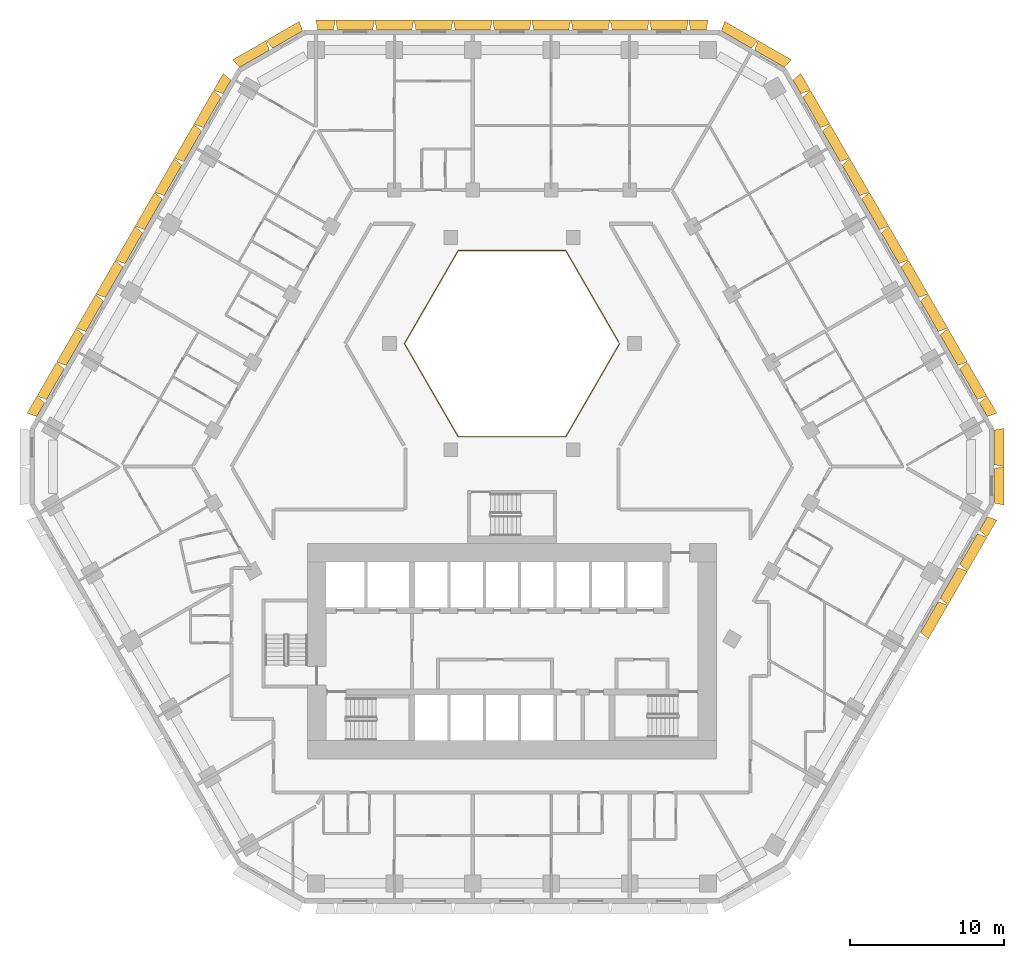
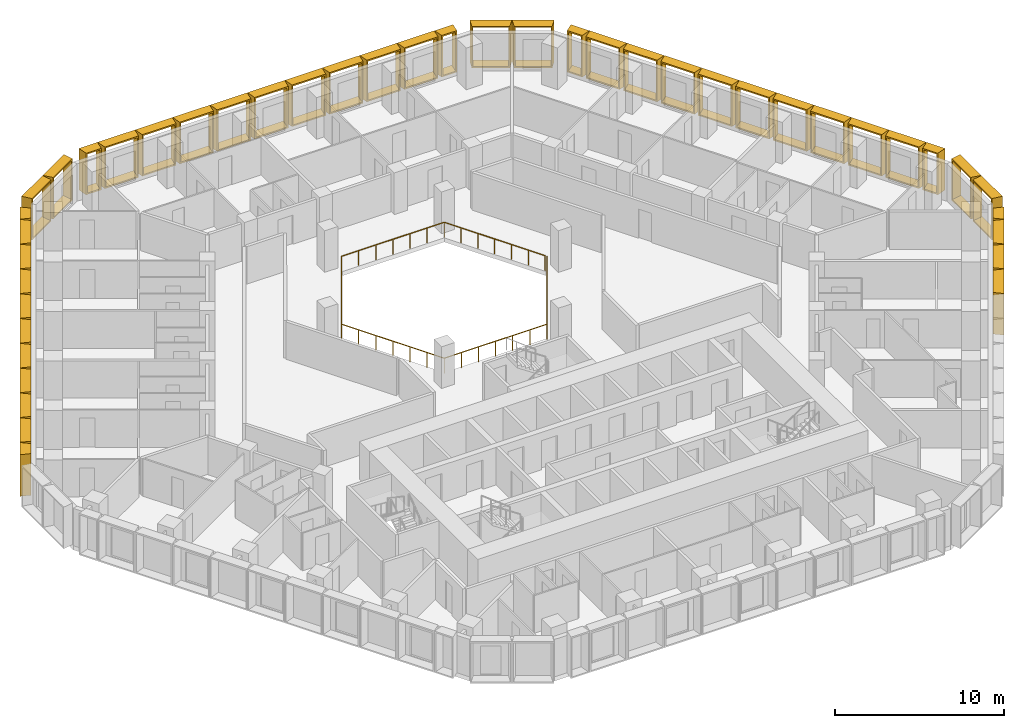
# One storey, part 16 of 16: 43 shading devices, 1 railing.
"""IFC4 building model written with IfcOpenShell, lengths in metres."""

from ifc_helpers import new_model, entity, si_unit, direction, frame, origin, origin_2d, place, context, subcontext, project, spatial, rectangle, extrude, source, transform, mapped, material, type_object, type_shapes, element, save


model = new_model("IFC4")

# Units and contexts
model_context = context("Model", 3, precision=1e-05, world=origin(), true_north=direction((0.0, 1.0)))
body_context = subcontext(model_context, "Body", "Model", "MODEL_VIEW")
ifc_project = project(units=[si_unit("LENGTHUNIT", "METRE"), si_unit("AREAUNIT", "SQUARE_METRE"), si_unit("VOLUMEUNIT", "CUBIC_METRE"), si_unit("PLANEANGLEUNIT", "RADIAN"), si_unit("MASSUNIT", "GRAM", prefix="KILO")], contexts=[model_context])

# Site, building, storey
site_placement = place(None, origin())
site = spatial("IfcSite", under=ifc_project, at=site_placement, CompositionType="ELEMENT")
building_placement = place(site_placement, origin())
building = spatial("IfcBuilding", under=site, at=building_placement, Name="Beryl Residences", CompositionType="ELEMENT")
storey_placement = place(building_placement, frame((0.0, 0.0, 50.39990234375)))
storey = spatial("IfcBuildingStorey", under=building, at=storey_placement, Name="L15", CompositionType="ELEMENT", Elevation=50.39990234375)

# Railing
ifc_material_1 = material(Name="Stainless steel balustrade with glass infill", Category="steel")
railing_type = type_object("IfcRailingType", Name="EG1 edge guard 1100 mm", PredefinedType="GUARDRAIL", material=ifc_material_1)
railing_placement = place(storey_placement, frame((6.9970703125, 8.0, 0.0)))
element("IfcRailing", 1, at=railing_placement, inside=storey, type_object=railing_type, Name="L15 atrium guard", PredefinedType="GUARDRAIL", context=body_context, shape_type="SweptSolid", body=[
    extrude(rectangle(XDim=0.048095703125, YDim=0.048095703125, at=origin_2d()), frame((0.0, 0.0, 1.076171875), z_axis=(-0.499921796684, -0.866070549782, 0.0), x_axis=(0.866070549782, -0.499921796684, 0.0)), (0.0, 0.0, 1.0), 6.9970703125),
    extrude(rectangle(XDim=0.048095703125, YDim=0.048095703125, at=origin_2d()), frame((-3.498046875, -6.06005859375, 1.076171875), z_axis=(-1.0, 0.0, 0.0), x_axis=(0.0, -1.0, 0.0)), (0.0, 0.0, 1.0), 6.998046875),
    extrude(rectangle(XDim=0.048095703125, YDim=0.048095703125, at=origin_2d()), frame((-10.49609375, -6.06005859375, 1.076171875), z_axis=(-0.499921796684, 0.866070549782, 0.0), x_axis=(-0.866070549782, -0.499921796684, 0.0)), (0.0, 0.0, 1.0), 6.9970703125),
    extrude(rectangle(XDim=0.048095703125, YDim=0.048095703125, at=origin_2d()), frame((-13.994140625, 0.0, 1.076171875), z_axis=(0.499921796684, 0.866070549782, 0.0), x_axis=(-0.866070549782, 0.499921796684, 0.0)), (0.0, 0.0, 1.0), 6.9970703125),
    extrude(rectangle(XDim=0.048095703125, YDim=0.048095703125, at=origin_2d()), frame((-10.49609375, 6.06005859375, 1.076171875), z_axis=(1.0, 0.0, 0.0), x_axis=(0.0, 1.0, 0.0)), (0.0, 0.0, 1.0), 6.998046875),
    extrude(rectangle(XDim=0.048095703125, YDim=0.048095703125, at=origin_2d()), frame((-3.498046875, 6.06005859375, 1.076171875), z_axis=(0.499919131929, -0.866072087953, 0.0), x_axis=(0.866072087953, 0.499919131929, 0.0)), (0.0, 0.0, 1.0), 6.877197265625),
    extrude(rectangle(XDim=0.0419921875, YDim=0.0419921875, at=origin_2d()), origin(), (0.0, 0.0, 1.0), 1.052001953125),
    extrude(rectangle(XDim=0.0419921875, YDim=0.0419921875, at=origin_2d()), frame((-0.5830078125, -1.010009765625, 0.0)), (0.0, 0.0, 1.0), 1.052001953125),
    extrude(rectangle(XDim=0.0419921875, YDim=0.0419921875, at=origin_2d()), frame((-1.166015625, -2.02001953125, 0.0)), (0.0, 0.0, 1.0), 1.052001953125),
    extrude(rectangle(XDim=0.0419921875, YDim=0.0419921875, at=origin_2d()), frame((-1.7490234375, -3.030029296875, 0.0)), (0.0, 0.0, 1.0), 1.052001953125),
    extrude(rectangle(XDim=0.0419921875, YDim=0.0419921875, at=origin_2d()), frame((-2.33203125, -4.0400390625, 0.0)), (0.0, 0.0, 1.0), 1.052001953125),
    extrude(rectangle(XDim=0.0419921875, YDim=0.0419921875, at=origin_2d()), frame((-2.9150390625, -5.050048828125, 0.0)), (0.0, 0.0, 1.0), 1.052001953125),
    extrude(rectangle(XDim=0.0419921875, YDim=0.0419921875, at=origin_2d()), frame((-3.498046875, -6.06005859375, 0.0)), (0.0, 0.0, 1.0), 1.052001953125),
    extrude(rectangle(XDim=0.0419921875, YDim=0.0419921875, at=origin_2d()), frame((-4.664306640625, -6.06005859375, 0.0)), (0.0, 0.0, 1.0), 1.052001953125),
    extrude(rectangle(XDim=0.0419921875, YDim=0.0419921875, at=origin_2d()), frame((-5.830810546875, -6.06005859375, 0.0)), (0.0, 0.0, 1.0), 1.052001953125),
    extrude(rectangle(XDim=0.0419921875, YDim=0.0419921875, at=origin_2d()), frame((-6.9970703125, -6.06005859375, 0.0)), (0.0, 0.0, 1.0), 1.052001953125),
    extrude(rectangle(XDim=0.0419921875, YDim=0.0419921875, at=origin_2d()), frame((-8.163330078125, -6.06005859375, 0.0)), (0.0, 0.0, 1.0), 1.052001953125),
    extrude(rectangle(XDim=0.0419921875, YDim=0.0419921875, at=origin_2d()), frame((-9.329833984375, -6.06005859375, 0.0)), (0.0, 0.0, 1.0), 1.052001953125),
    extrude(rectangle(XDim=0.0419921875, YDim=0.0419921875, at=origin_2d()), frame((-10.49609375, -6.06005859375, 0.0)), (0.0, 0.0, 1.0), 1.052001953125),
    extrude(rectangle(XDim=0.0419921875, YDim=0.0419921875, at=origin_2d()), frame((-11.0791015625, -5.050048828125, 0.0)), (0.0, 0.0, 1.0), 1.052001953125),
    extrude(rectangle(XDim=0.0419921875, YDim=0.0419921875, at=origin_2d()), frame((-11.662109375, -4.0400390625, 0.0)), (0.0, 0.0, 1.0), 1.052001953125),
    extrude(rectangle(XDim=0.0419921875, YDim=0.0419921875, at=origin_2d()), frame((-12.2451171875, -3.030029296875, 0.0)), (0.0, 0.0, 1.0), 1.052001953125),
    extrude(rectangle(XDim=0.0419921875, YDim=0.0419921875, at=origin_2d()), frame((-12.828125, -2.02001953125, 0.0)), (0.0, 0.0, 1.0), 1.052001953125),
    extrude(rectangle(XDim=0.0419921875, YDim=0.0419921875, at=origin_2d()), frame((-13.4111328125, -1.010009765625, 0.0)), (0.0, 0.0, 1.0), 1.052001953125),
    extrude(rectangle(XDim=0.0419921875, YDim=0.0419921875, at=origin_2d()), frame((-13.994140625, 0.0, 0.0)), (0.0, 0.0, 1.0), 1.052001953125),
    extrude(rectangle(XDim=0.0419921875, YDim=0.0419921875, at=origin_2d()), frame((-13.4111328125, 1.010009765625, 0.0)), (0.0, 0.0, 1.0), 1.052001953125),
    extrude(rectangle(XDim=0.0419921875, YDim=0.0419921875, at=origin_2d()), frame((-12.828125, 2.02001953125, 0.0)), (0.0, 0.0, 1.0), 1.052001953125),
    extrude(rectangle(XDim=0.0419921875, YDim=0.0419921875, at=origin_2d()), frame((-12.2451171875, 3.030029296875, 0.0)), (0.0, 0.0, 1.0), 1.052001953125),
    extrude(rectangle(XDim=0.0419921875, YDim=0.0419921875, at=origin_2d()), frame((-11.662109375, 4.0400390625, 0.0)), (0.0, 0.0, 1.0), 1.052001953125),
    extrude(rectangle(XDim=0.0419921875, YDim=0.0419921875, at=origin_2d()), frame((-11.0791015625, 5.050048828125, 0.0)), (0.0, 0.0, 1.0), 1.052001953125),
    extrude(rectangle(XDim=0.0419921875, YDim=0.0419921875, at=origin_2d()), frame((-10.49609375, 6.06005859375, 0.0)), (0.0, 0.0, 1.0), 1.052001953125),
    extrude(rectangle(XDim=0.0419921875, YDim=0.0419921875, at=origin_2d()), frame((-9.329833984375, 6.06005859375, 0.0)), (0.0, 0.0, 1.0), 1.052001953125),
    extrude(rectangle(XDim=0.0419921875, YDim=0.0419921875, at=origin_2d()), frame((-8.163330078125, 6.06005859375, 0.0)), (0.0, 0.0, 1.0), 1.052001953125),
    extrude(rectangle(XDim=0.0419921875, YDim=0.0419921875, at=origin_2d()), frame((-6.9970703125, 6.06005859375, 0.0)), (0.0, 0.0, 1.0), 1.052001953125),
    extrude(rectangle(XDim=0.0419921875, YDim=0.0419921875, at=origin_2d()), frame((-5.830810546875, 6.06005859375, 0.0)), (0.0, 0.0, 1.0), 1.052001953125),
    extrude(rectangle(XDim=0.0419921875, YDim=0.0419921875, at=origin_2d()), frame((-4.664306640625, 6.06005859375, 0.0)), (0.0, 0.0, 1.0), 1.052001953125),
    extrude(rectangle(XDim=0.0419921875, YDim=0.0419921875, at=origin_2d()), frame((-3.498046875, 6.06005859375, 0.0)), (0.0, 0.0, 1.0), 1.052001953125),
    extrude(rectangle(XDim=0.0419921875, YDim=0.0419921875, at=origin_2d()), frame((-2.925048828125, 5.0673828125, 0.0)), (0.0, 0.0, 1.0), 1.052001953125),
    extrude(rectangle(XDim=0.0419921875, YDim=0.0419921875, at=origin_2d()), frame((-2.35205078125, 4.07470703125, 0.0)), (0.0, 0.0, 1.0), 1.052001953125),
    extrude(rectangle(XDim=0.0419921875, YDim=0.0419921875, at=origin_2d()), frame((-1.779052734375, 3.08203125, 0.0)), (0.0, 0.0, 1.0), 1.052001953125),
    extrude(rectangle(XDim=0.0419921875, YDim=0.0419921875, at=origin_2d()), frame((-1.2060546875, 2.08935546875, 0.0)), (0.0, 0.0, 1.0), 1.052001953125),
    extrude(rectangle(XDim=0.0419921875, YDim=0.0419921875, at=origin_2d()), frame((-0.633056640625, 1.0966796875, 0.0)), (0.0, 0.0, 1.0), 1.052001953125),
    extrude(rectangle(XDim=0.0419921875, YDim=0.0419921875, at=origin_2d()), frame((-0.06005859375, 0.10400390625, 0.0)), (0.0, 0.0, 1.0), 1.052001953125),
])

# Shading devices
ifc_material_2 = material(Name="Aluminium pale anodised", Category="aluminium")
shading_device_type_1 = type_object("IfcShadingDeviceType", Name="FR128-65A OUTER SKIN frame 650 mm deep, splay 10/10 deg, 1280 x 3000 mm cell", PredefinedType="USERDEFINED", material=ifc_material_2)
cartesian_point_1 = entity("IfcCartesianPoint", [-0.514892578125, 0.0])
cartesian_point_2 = entity("IfcCartesianPoint", [-0.433837890625, 0.10009765625])
cartesian_point_3 = entity("IfcCartesianPoint", [-0.629638671875, 0.0])
cartesian_point_4 = entity("IfcCartesianPoint", [-0.54833984375, 0.10009765625])
shared_shape_1 = source(origin(), body_context, "Body", "SweptSolid", [
    entity("IfcExtrudedAreaSolidTapered", entity("IfcArbitraryProfileDefWithVoids", "AREA", None, entity("IfcPolyline", [cartesian_point_1, entity("IfcCartesianPoint", [0.514892578125, 0.0]), entity("IfcCartesianPoint", [0.514892578125, 3.0]), entity("IfcCartesianPoint", [-0.514892578125, 3.0]), cartesian_point_1]), [entity("IfcPolyline", [cartesian_point_2, entity("IfcCartesianPoint", [0.433837890625, 0.10009765625]), entity("IfcCartesianPoint", [0.433837890625, 2.89990234375]), entity("IfcCartesianPoint", [-0.433837890625, 2.89990234375]), cartesian_point_2])]), entity("IfcAxis2Placement3D", entity("IfcCartesianPoint", [0.0, 0.0, 0.0]), entity("IfcDirection", [0.0, 1.0, 0.0]), entity("IfcDirection", [-1.0, 0.0, 0.0])), entity("IfcDirection", [0.0, 0.0, 1.0]), 0.64990234375, entity("IfcArbitraryProfileDefWithVoids", "AREA", None, entity("IfcPolyline", [cartesian_point_3, entity("IfcCartesianPoint", [0.629638671875, 0.0]), entity("IfcCartesianPoint", [0.629638671875, 3.0]), entity("IfcCartesianPoint", [-0.629638671875, 3.0]), cartesian_point_3]), [entity("IfcPolyline", [cartesian_point_4, entity("IfcCartesianPoint", [0.54833984375, 0.10009765625]), entity("IfcCartesianPoint", [0.54833984375, 2.89990234375]), entity("IfcCartesianPoint", [-0.54833984375, 2.89990234375]), cartesian_point_4])])),
])
type_shapes(shading_device_type_1, [shared_shape_1])
for number, where, z_axis, x_axis, name in (
    (2, (12.12109375, 28.39990234375, 0.0), (0.0, 0.0, 1.0), (1.0, 0.0, 0.0), "FR128-65A frame L15 N 1"),
    (3, (-12.123046875, 28.39990234375, 0.0), (0.0, 0.0, 1.0), (1.0, 0.0, 0.0), "FR128-65A frame L15 N 11"),
    (4, (-18.534912109375, 24.697021484375, 0.0), (0.0, 0.0, 1.0), (0.5, 0.866025403784, 0.0), "FR128-65A frame L15 NW 1"),
    (5, (-30.656005859375, 3.700927734375, 0.0), (0.0, 0.0, 1.0), (0.5, 0.866025403784, 0.0), "FR128-65A frame L15 NW 11"),
    (6, (30.656005859375, -3.700927734375, 0.0), (0.0, 0.0, 1.0), (-0.5, -0.866025403784, 0.0), "FR128-65A frame L15 SE 11"),
    (7, (30.655029296875, 3.702880859375, 0.0), (0.0, 0.0, 1.0), (0.5, -0.866025403784, 0.0), "FR128-65A frame L15 NE 1"),
    (8, (18.533935546875, 24.698974609375, 0.0), (0.0, 0.0, 1.0), (0.5, -0.866025403784, 0.0), "FR128-65A frame L15 NE 11"),
):
    element("IfcShadingDevice", number, at=place(storey_placement, frame(where, z_axis=z_axis, x_axis=x_axis)), inside=storey, type_object=shading_device_type_1, Name=name, ObjectType="OUTER SKIN", PredefinedType="USERDEFINED", context=body_context, shape_type="MappedRepresentation", body=[
        mapped(shared_shape_1, transform((0.0, 0.0, 0.0))),
    ])
ifc_material_3 = material(Name="Aluminium pale anodised", Category="aluminium")
shading_device_type_2 = type_object("IfcShadingDeviceType", Name="FR250-65A OUTER SKIN frame 650 mm deep, splay 10/10 deg, 2500 x 3000 mm cell", PredefinedType="USERDEFINED", material=ifc_material_3)
cartesian_point_5 = entity("IfcCartesianPoint", [-1.125, 0.0])
cartesian_point_6 = entity("IfcCartesianPoint", [-1.043701171875, 0.10009765625])
cartesian_point_7 = entity("IfcCartesianPoint", [-1.239501953125, 0.0])
cartesian_point_8 = entity("IfcCartesianPoint", [-1.158447265625, 0.10009765625])
shared_shape_2 = source(origin(), body_context, "Body", "SweptSolid", [
    entity("IfcExtrudedAreaSolidTapered", entity("IfcArbitraryProfileDefWithVoids", "AREA", None, entity("IfcPolyline", [cartesian_point_5, entity("IfcCartesianPoint", [1.125, 0.0]), entity("IfcCartesianPoint", [1.125, 3.0]), entity("IfcCartesianPoint", [-1.125, 3.0]), cartesian_point_5]), [entity("IfcPolyline", [cartesian_point_6, entity("IfcCartesianPoint", [1.043701171875, 0.10009765625]), entity("IfcCartesianPoint", [1.043701171875, 2.89990234375]), entity("IfcCartesianPoint", [-1.043701171875, 2.89990234375]), cartesian_point_6])]), entity("IfcAxis2Placement3D", entity("IfcCartesianPoint", [0.0, 0.0, 0.0]), entity("IfcDirection", [0.0, 1.0, 0.0]), entity("IfcDirection", [-1.0, 0.0, 0.0])), entity("IfcDirection", [0.0, 0.0, 1.0]), 0.64990234375, entity("IfcArbitraryProfileDefWithVoids", "AREA", None, entity("IfcPolyline", [cartesian_point_7, entity("IfcCartesianPoint", [1.239501953125, 0.0]), entity("IfcCartesianPoint", [1.239501953125, 3.0]), entity("IfcCartesianPoint", [-1.239501953125, 3.0]), cartesian_point_7]), [entity("IfcPolyline", [cartesian_point_8, entity("IfcCartesianPoint", [1.158447265625, 0.10009765625]), entity("IfcCartesianPoint", [1.158447265625, 2.89990234375]), entity("IfcCartesianPoint", [-1.158447265625, 2.89990234375]), cartesian_point_8])])),
])
type_shapes(shading_device_type_2, [shared_shape_2])
for number, where, z_axis, x_axis, name in (
    (9, (-14.593017578125, 27.77490234375, 0.0), (0.0, 0.0, 1.0), (0.866025403784, 0.5, 0.0), "FR250-65A frame L15 N-NW 1"),
    (10, (-16.758056640625, 26.52490234375, 0.0), (0.0, 0.0, 1.0), (0.866025403784, 0.5, 0.0), "FR250-65A frame L15 N-NW 2"),
    (11, (31.35009765625, -1.25, 0.0), (0.0, 0.0, 1.0), (0.0, -1.0, 0.0), "FR250-65A frame L15 SE-NE 1"),
    (12, (31.35009765625, 1.25, 0.0), (0.0, 0.0, 1.0), (0.0, -1.0, 0.0), "FR250-65A frame L15 SE-NE 2"),
    (13, (16.758056640625, 26.52490234375, 0.0), (0.0, 0.0, 1.0), (0.866025403784, -0.5, 0.0), "FR250-65A frame L15 NE-N 1"),
    (14, (14.593017578125, 27.77490234375, 0.0), (0.0, 0.0, 1.0), (0.866025403784, -0.5, 0.0), "FR250-65A frame L15 NE-N 2"),
):
    element("IfcShadingDevice", number, at=place(storey_placement, frame(where, z_axis=z_axis, x_axis=x_axis)), inside=storey, type_object=shading_device_type_2, Name=name, ObjectType="OUTER SKIN", PredefinedType="USERDEFINED", context=body_context, shape_type="MappedRepresentation", body=[
        mapped(shared_shape_2, transform((0.0, 0.0, 0.0))),
    ])
ifc_material_4 = material(Name="Aluminium pale anodised", Category="aluminium")
shading_device_type_3 = type_object("IfcShadingDeviceType", Name="FR255-65A OUTER SKIN frame 650 mm deep, splay 10/10 deg, 2550 x 3000 mm cell", PredefinedType="USERDEFINED", material=ifc_material_4)
cartesian_point_9 = entity("IfcCartesianPoint", [-1.14990234375, 0.0])
cartesian_point_10 = entity("IfcCartesianPoint", [-1.06884765625, 0.10009765625])
cartesian_point_11 = entity("IfcCartesianPoint", [-1.2646484375, 0.0])
cartesian_point_12 = entity("IfcCartesianPoint", [-1.183349609375, 0.10009765625])
shared_shape_3 = source(origin(), body_context, "Body", "SweptSolid", [
    entity("IfcExtrudedAreaSolidTapered", entity("IfcArbitraryProfileDefWithVoids", "AREA", None, entity("IfcPolyline", [cartesian_point_9, entity("IfcCartesianPoint", [1.14990234375, 0.0]), entity("IfcCartesianPoint", [1.14990234375, 3.0]), entity("IfcCartesianPoint", [-1.14990234375, 3.0]), cartesian_point_9]), [entity("IfcPolyline", [cartesian_point_10, entity("IfcCartesianPoint", [1.06884765625, 0.10009765625]), entity("IfcCartesianPoint", [1.06884765625, 2.89990234375]), entity("IfcCartesianPoint", [-1.06884765625, 2.89990234375]), cartesian_point_10])]), entity("IfcAxis2Placement3D", entity("IfcCartesianPoint", [0.0, 0.0, 0.0]), entity("IfcDirection", [0.0, 1.0, 0.0]), entity("IfcDirection", [-1.0, 0.0, 0.0])), entity("IfcDirection", [0.0, 0.0, 1.0]), 0.64990234375, entity("IfcArbitraryProfileDefWithVoids", "AREA", None, entity("IfcPolyline", [cartesian_point_11, entity("IfcCartesianPoint", [1.2646484375, 0.0]), entity("IfcCartesianPoint", [1.2646484375, 3.0]), entity("IfcCartesianPoint", [-1.2646484375, 3.0]), cartesian_point_11]), [entity("IfcPolyline", [cartesian_point_12, entity("IfcCartesianPoint", [1.183349609375, 0.10009765625]), entity("IfcCartesianPoint", [1.183349609375, 2.89990234375]), entity("IfcCartesianPoint", [-1.183349609375, 2.89990234375]), cartesian_point_12])])),
])
type_shapes(shading_device_type_3, [shared_shape_3])
for number, where, z_axis, x_axis, name in (
    (15, (10.20703125, 28.39990234375, 0.0), (0.0, 0.0, 1.0), (1.0, 0.0, 0.0), "FR255-65A frame L15 N 2"),
    (16, (7.655029296875, 28.39990234375, 0.0), (0.0, 0.0, 1.0), (1.0, 0.0, 0.0), "FR255-65A frame L15 N 3"),
    (17, (5.10302734375, 28.39990234375, 0.0), (0.0, 0.0, 1.0), (1.0, 0.0, 0.0), "FR255-65A frame L15 N 4"),
    (18, (2.551025390625, 28.39990234375, 0.0), (0.0, 0.0, 1.0), (1.0, 0.0, 0.0), "FR255-65A frame L15 N 5"),
    (19, (-0.0009765625, 28.39990234375, 0.0), (0.0, 0.0, 1.0), (1.0, 0.0, 0.0), "FR255-65A frame L15 N 6"),
    (20, (-2.552978515625, 28.39990234375, 0.0), (0.0, 0.0, 1.0), (1.0, 0.0, 0.0), "FR255-65A frame L15 N 7"),
    (21, (-5.10498046875, 28.39990234375, 0.0), (0.0, 0.0, 1.0), (1.0, 0.0, 0.0), "FR255-65A frame L15 N 8"),
    (22, (-7.656982421875, 28.39990234375, 0.0), (0.0, 0.0, 1.0), (1.0, 0.0, 0.0), "FR255-65A frame L15 N 9"),
    (23, (-10.208984375, 28.39990234375, 0.0), (0.0, 0.0, 1.0), (1.0, 0.0, 0.0), "FR255-65A frame L15 N 10"),
    (24, (-19.491943359375, 23.0400390625, 0.0), (0.0, 0.0, 1.0), (0.5, 0.866025403784, 0.0), "FR255-65A frame L15 NW 2"),
    (25, (-20.76806640625, 20.830078125, 0.0), (0.0, 0.0, 1.0), (0.5, 0.866025403784, 0.0), "FR255-65A frame L15 NW 3"),
    (26, (-22.0439453125, 18.618896484375, 0.0), (0.0, 0.0, 1.0), (0.5, 0.866025403784, 0.0), "FR255-65A frame L15 NW 4"),
    (27, (-23.320068359375, 16.408935546875, 0.0), (0.0, 0.0, 1.0), (0.5, 0.866025403784, 0.0), "FR255-65A frame L15 NW 5"),
    (28, (-24.594970703125, 14.198974609375, 0.0), (0.0, 0.0, 1.0), (0.5, 0.866025403784, 0.0), "FR255-65A frame L15 NW 6"),
    (29, (-25.87109375, 11.989013671875, 0.0), (0.0, 0.0, 1.0), (0.5, 0.866025403784, 0.0), "FR255-65A frame L15 NW 7"),
    (30, (-27.14697265625, 9.779052734375, 0.0), (0.0, 0.0, 1.0), (0.5, 0.866025403784, 0.0), "FR255-65A frame L15 NW 8"),
    (31, (-28.423095703125, 7.569091796875, 0.0), (0.0, 0.0, 1.0), (0.5, 0.866025403784, 0.0), "FR255-65A frame L15 NW 9"),
    (32, (-29.698974609375, 5.35888671875, 0.0), (0.0, 0.0, 1.0), (0.5, 0.866025403784, 0.0), "FR255-65A frame L15 NW 10"),
    (33, (27.14697265625, -9.779052734375, 0.0), (0.0, 0.0, 1.0), (-0.5, -0.866025403784, 0.0), "FR255-65A frame L15 SE 8"),
    (34, (28.423095703125, -7.569091796875, 0.0), (0.0, 0.0, 1.0), (-0.5, -0.866025403784, 0.0), "FR255-65A frame L15 SE 9"),
    (35, (29.698974609375, -5.35888671875, 0.0), (0.0, 0.0, 1.0), (-0.5, -0.866025403784, 0.0), "FR255-65A frame L15 SE 10"),
    (36, (29.697998046875, 5.360107421875, 0.0), (0.0, 0.0, 1.0), (0.5, -0.866025403784, 0.0), "FR255-65A frame L15 NE 2"),
    (37, (28.422119140625, 7.570068359375, 0.0), (0.0, 0.0, 1.0), (0.5, -0.866025403784, 0.0), "FR255-65A frame L15 NE 3"),
    (38, (27.14599609375, 9.781005859375, 0.0), (0.0, 0.0, 1.0), (0.5, -0.866025403784, 0.0), "FR255-65A frame L15 NE 4"),
    (39, (25.8701171875, 11.990966796875, 0.0), (0.0, 0.0, 1.0), (0.5, -0.866025403784, 0.0), "FR255-65A frame L15 NE 5"),
    (40, (24.594970703125, 14.200927734375, 0.0), (0.0, 0.0, 1.0), (0.5, -0.866025403784, 0.0), "FR255-65A frame L15 NE 6"),
    (41, (23.319091796875, 16.410888671875, 0.0), (0.0, 0.0, 1.0), (0.5, -0.866025403784, 0.0), "FR255-65A frame L15 NE 7"),
    (42, (22.04296875, 18.62109375, 0.0), (0.0, 0.0, 1.0), (0.5, -0.866025403784, 0.0), "FR255-65A frame L15 NE 8"),
    (43, (20.76708984375, 20.8310546875, 0.0), (0.0, 0.0, 1.0), (0.5, -0.866025403784, 0.0), "FR255-65A frame L15 NE 9"),
    (44, (19.490966796875, 23.041015625, 0.0), (0.0, 0.0, 1.0), (0.5, -0.866025403784, 0.0), "FR255-65A frame L15 NE 10"),
):
    element("IfcShadingDevice", number, at=place(storey_placement, frame(where, z_axis=z_axis, x_axis=x_axis)), inside=storey, type_object=shading_device_type_3, Name=name, ObjectType="OUTER SKIN", PredefinedType="USERDEFINED", context=body_context, shape_type="MappedRepresentation", body=[
        mapped(shared_shape_3, transform((0.0, 0.0, 0.0))),
    ])

save(model, "model.ifc")
